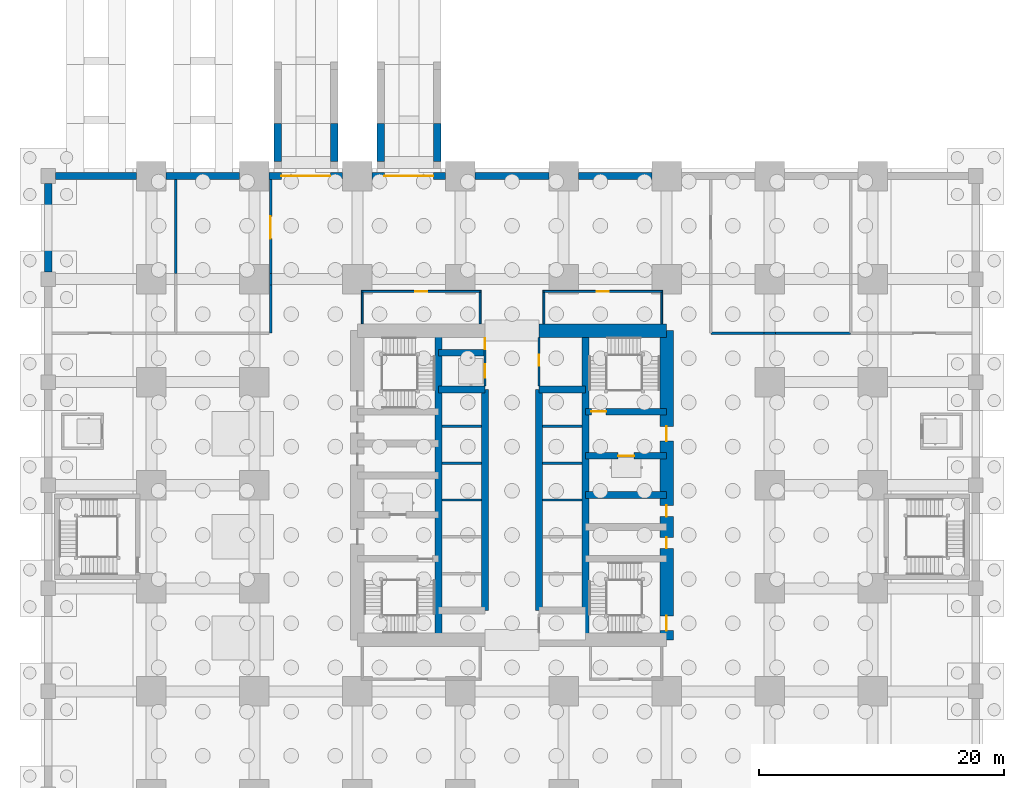
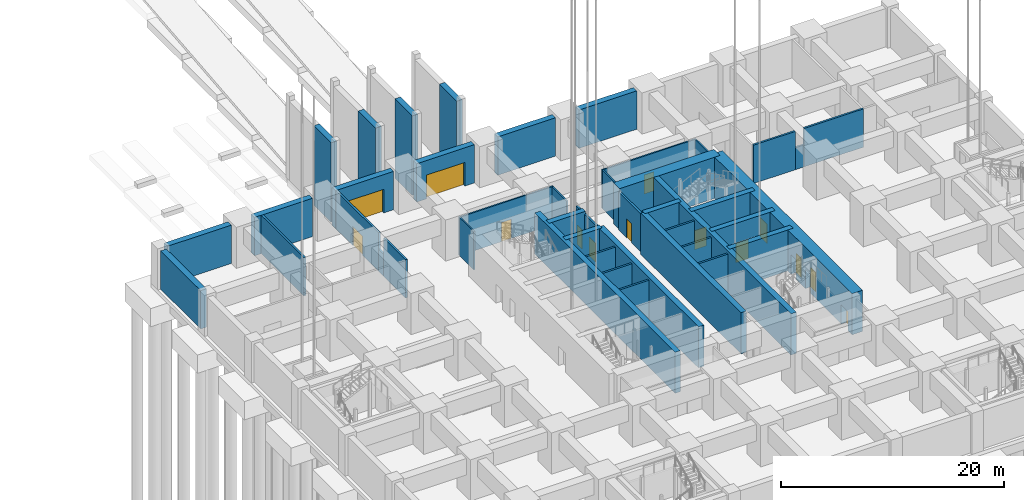
# One storey, part 9 of 28: 44 walls, 14 doors, 14 openings.
"""IFC4 building model written with IfcOpenShell, lengths in metres."""

from ifc_helpers import new_model, si_unit, direction, frame, frame_2d, origin, place, context, subcontext, project, spatial, rectangle, extrude, material, layer, layer_set, type_object, element, fill, save


model = new_model("IFC4")

# Units and contexts
model_context = context("Model", 3, precision=1e-05, world=origin(), true_north=direction((0.0, 1.0)))
body_context = subcontext(model_context, "Body", "Model", "MODEL_VIEW")
ifc_project = project(units=[si_unit("LENGTHUNIT", "METRE"), si_unit("AREAUNIT", "SQUARE_METRE"), si_unit("VOLUMEUNIT", "CUBIC_METRE"), si_unit("PLANEANGLEUNIT", "RADIAN"), si_unit("MASSUNIT", "GRAM", prefix="KILO")], contexts=[model_context])

# Site, building, storey
site_placement = place(None, origin())
site = spatial("IfcSite", under=ifc_project, at=site_placement, CompositionType="ELEMENT")
building_placement = place(site_placement, origin())
building = spatial("IfcBuilding", under=site, at=building_placement, Name="Rekha Terrace Tower", CompositionType="ELEMENT")
storey_placement = place(building_placement, frame((0.0, 0.0, -9.89990234375)))
storey = spatial("IfcBuildingStorey", under=building, at=storey_placement, Name="B-02", CompositionType="ELEMENT", Elevation=-9.89990234375)

# Walls
ifc_material_1 = material(Name="Concrete M70", Category="concrete")
ifc_layer_1 = layer(ifc_material_1, 0.550048828125)
ifc_layer_set_1 = layer_set([ifc_layer_1], Name="Concrete M70")
wall_type_1 = type_object("IfcWallType", Name="CI1 550 core internal shear wall", PredefinedType="SHEAR", material=ifc_layer_set_1)
for number, where, z_axis, x_axis, name in (
    (1, (31.800048828125, 21.0, 0.0), (0.0, 0.0, 1.0), (0.0, 1.0, 0.0), "Core wall X318 B-02"),
    (2, (43.800048828125, 21.0, 0.0), (0.0, 0.0, 1.0), (0.0, 1.0, 0.0), "Core wall X438 B-02"),
):
    element("IfcWall", number, at=place(storey_placement, frame(where, z_axis=z_axis, x_axis=x_axis)), inside=storey, type_object=wall_type_1, Name=name, PredefinedType="SHEAR", context=body_context, shape_type="SweptSolid", body=[
        extrude(rectangle(XDim=25.199951171875, YDim=0.550048828125, at=frame_2d((12.60009765625, 0.0))), origin(), (0.0, 0.0, 1.0), 4.5),
    ])
for number, where, z_axis, x_axis, name in (
    (3, (35.60009765625, 23.39990234375, 0.0), (0.0, 0.0, 1.0), (0.0, 1.0, 0.0), "Core wall X356 B-02"),
    (4, (40.0, 23.39990234375, 0.0), (0.0, 0.0, 1.0), (0.0, 1.0, 0.0), "Core wall X400 B-02"),
):
    element("IfcWall", number, at=place(storey_placement, frame(where, z_axis=z_axis, x_axis=x_axis)), inside=storey, type_object=wall_type_1, Name=name, PredefinedType="SHEAR", context=body_context, shape_type="SweptSolid", body=[
        extrude(rectangle(XDim=18.0, YDim=0.550048828125, at=frame_2d((9.0, 0.0))), origin(), (0.0, 0.0, 1.0), 4.5),
    ])
for number, where, z_axis, x_axis, name in (
    (5, (31.800048828125, 41.39990234375, 0.0), (0.0, 0.0, 1.0), (1.0, 0.0, 0.0), "Core wall Y414W B-02"),
    (6, (31.800048828125, 44.39990234375, 0.0), (0.0, 0.0, 1.0), (1.0, 0.0, 0.0), "Core wall Y444W B-02"),
    (7, (40.0, 41.39990234375, 0.0), (0.0, 0.0, 1.0), (1.0, 0.0, 0.0), "Core wall Y414E B-02"),
):
    element("IfcWall", number, at=place(storey_placement, frame(where, z_axis=z_axis, x_axis=x_axis)), inside=storey, type_object=wall_type_1, Name=name, PredefinedType="SHEAR", context=body_context, shape_type="SweptSolid", body=[
        extrude(rectangle(XDim=3.800048828125, YDim=0.550048828125, at=frame_2d((1.89990234375, 0.0))), origin(), (0.0, 0.0, 1.0), 4.5),
    ])
wall_1_placement = place(storey_placement, frame((43.800048828125, 32.800048828125, 0.0), z_axis=(0.0, 0.0, 1.0), x_axis=(1.0, 0.0, 0.0)))
element("IfcWall", 8, at=wall_1_placement, inside=storey, type_object=wall_type_1, Name="Core wall Y328E B-02", PredefinedType="SHEAR", context=body_context, shape_type="SweptSolid", body=[
    extrude(rectangle(XDim=6.599853515625, YDim=0.550048828125, at=frame_2d((3.2998046875, 0.0))), origin(), (0.0, 0.0, 1.0), 4.5),
])

# Wall, opening, door
wall_2_placement = place(storey_placement, frame((43.800048828125, 36.0, 0.0), z_axis=(0.0, 0.0, 1.0), x_axis=(1.0, 0.0, 0.0)))
wall_2 = element("IfcWall", 9, at=wall_2_placement, inside=storey, type_object=wall_type_1, Name="Core wall Y360E B-02", PredefinedType="SHEAR", context=body_context, shape_type="SweptSolid", body=[
    extrude(rectangle(XDim=6.599853515625, YDim=0.550048828125, at=frame_2d((3.2998046875, 0.0))), origin(), (0.0, 0.0, 1.0), 4.5),
])
opening_1_placement = place(wall_2_placement, frame((2.64990234375, 0.0, 0.0)))
opening_1 = element("IfcOpeningElement", 10, at=opening_1_placement, cuts=wall_2, Name="Opening LD2", PredefinedType="OPENING", context=body_context, shape_type="SweptSolid", body=[
    extrude(rectangle(XDim=1.300048828125, YDim=2.10009765625, at=frame_2d((0.64990234375, 1.050048828125))), frame((0.0, 0.284912109375, 0.0), z_axis=(0.0, -1.0, 0.0), x_axis=(1.0, 0.0, 0.0)), (0.0, 0.0, 1.0), 0.570068359375),
])
ifc_material_2 = material(Name="Stainless steel sliding landing door", Category="steel")
door_type_1 = type_object("IfcDoorType", Name="LD2 1300x2100 fire lift landing door", OperationType="SLIDING_TO_LEFT", PredefinedType="USERDEFINED", material=ifc_material_2)
door_1_placement = place(opening_1_placement, origin())
door_1 = element("IfcDoor", 11, at=door_1_placement, inside=storey, type_object=door_type_1, Name="Lift FL2 landing door B-02", ObjectType="LIFT LANDING DOOR", OperationType="SLIDING_TO_LEFT", OverallHeight=2.10009765625, OverallWidth=1.300048828125, PredefinedType="USERDEFINED", context=body_context, shape_type="SweptSolid", body=[
    extrude(rectangle(XDim=1.300048828125, YDim=2.10009765625, at=frame_2d((0.64990234375, 1.050048828125))), frame((0.0, 0.02490234375, 0.0), z_axis=(0.0, -1.0, 0.0), x_axis=(1.0, 0.0, 0.0)), (0.0, 0.0, 1.0), 0.050048828125),
])
fill(opening_1, door_1)

wall_3_placement = place(storey_placement, frame((43.800048828125, 39.60009765625, 0.0), z_axis=(0.0, 0.0, 1.0), x_axis=(1.0, 0.0, 0.0)))
wall_3 = element("IfcWall", 12, at=wall_3_placement, inside=storey, type_object=wall_type_1, Name="Core wall Y396E B-02", PredefinedType="SHEAR", context=body_context, shape_type="SweptSolid", body=[
    extrude(rectangle(XDim=6.599853515625, YDim=0.550048828125, at=frame_2d((3.2998046875, 0.0))), origin(), (0.0, 0.0, 1.0), 4.5),
])
opening_2_placement = place(wall_3_placement, frame((0.47509765625, 0.0, 0.0)))
opening_2 = element("IfcOpeningElement", 13, at=opening_2_placement, cuts=wall_3, Name="Opening D1", PredefinedType="OPENING", context=body_context, shape_type="SweptSolid", body=[
    extrude(rectangle(XDim=1.199951171875, YDim=2.10009765625, at=frame_2d((0.60009765625, 1.050048828125))), frame((0.0, 0.284912109375, 0.0), z_axis=(0.0, -1.0, 0.0), x_axis=(1.0, 0.0, 0.0)), (0.0, 0.0, 1.0), 0.570068359375),
])
ifc_material_3 = material(Name="Steel fire door", Category="steel")
door_type_2 = type_object("IfcDoorType", Name="D1 1200x2100 stair fire door", OperationType="SINGLE_SWING_RIGHT", PredefinedType="DOOR", material=ifc_material_3)
door_2_placement = place(opening_2_placement, origin())
door_2 = element("IfcDoor", 14, at=door_2_placement, inside=storey, type_object=door_type_2, Name="Stair ST2 door B-02", OperationType="SINGLE_SWING_RIGHT", OverallHeight=2.10009765625, OverallWidth=1.199951171875, PredefinedType="DOOR", context=body_context, shape_type="SweptSolid", body=[
    extrude(rectangle(XDim=1.199951171875, YDim=2.10009765625, at=frame_2d((0.60009765625, 1.050048828125))), frame((0.0, 0.02490234375, 0.0), z_axis=(0.0, -1.0, 0.0), x_axis=(1.0, 0.0, 0.0)), (0.0, 0.0, 1.0), 0.050048828125),
])
fill(opening_2, door_2)

# Walls
ifc_material_4 = material(Name="Concrete M40", Category="concrete")
ifc_layer_2 = layer(ifc_material_4, 0.60009765625)
ifc_layer_set_2 = layer_set([ifc_layer_2], Name="Concrete M40")
wall_type_2 = type_object("IfcWallType", Name="RW1 600 basement retaining wall", PredefinedType="SOLIDWALL", material=ifc_layer_set_2)
wall_4_placement = place(storey_placement, frame((0.60009765625, 58.800048828125, 0.0), z_axis=(0.0, 0.0, 1.0), x_axis=(1.0, 0.0, 0.0)))
element("IfcWall", 15, at=wall_4_placement, inside=storey, type_object=wall_type_2, Name="Basement retaining wall RW1 1H-2H B-02", PredefinedType="SOLIDWALL", context=body_context, shape_type="SweptSolid", body=[
    extrude(rectangle(XDim=6.599853515625, YDim=0.60009765625, at=frame_2d((3.2998046875, 0.0))), origin(), (0.0, 0.0, 1.0), 4.199951171875),
])
wall_5_placement = place(storey_placement, frame((9.60009765625, 58.800048828125, 0.0), z_axis=(0.0, 0.0, 1.0), x_axis=(1.0, 0.0, 0.0)))
element("IfcWall", 16, at=wall_5_placement, inside=storey, type_object=wall_type_2, Name="Basement retaining wall RW1 2H-3H B-02", PredefinedType="SOLIDWALL", context=body_context, shape_type="SweptSolid", body=[
    extrude(rectangle(XDim=6.0, YDim=0.60009765625, at=frame_2d((3.0, 0.0))), origin(), (0.0, 0.0, 1.0), 4.199951171875),
])

# Wall, opening, door
wall_6_placement = place(storey_placement, frame((18.0, 58.800048828125, 0.0), z_axis=(0.0, 0.0, 1.0), x_axis=(1.0, 0.0, 0.0)))
wall_6 = element("IfcWall", 17, at=wall_6_placement, inside=storey, type_object=wall_type_2, Name="Basement retaining wall RW1 3H-4H B-02", PredefinedType="SOLIDWALL", context=body_context, shape_type="SweptSolid", body=[
    extrude(rectangle(XDim=6.0, YDim=0.60009765625, at=frame_2d((3.0, 0.0))), origin(), (0.0, 0.0, 1.0), 4.199951171875),
])
opening_3_placement = place(wall_6_placement, frame((1.0, 0.0, 0.0)))
opening_3 = element("IfcOpeningElement", 18, at=opening_3_placement, cuts=wall_6, Name="Opening VD2", PredefinedType="OPENING", context=body_context, shape_type="SweptSolid", body=[
    extrude(rectangle(XDim=4.0, YDim=2.60009765625, at=frame_2d((2.0, 1.300048828125))), frame((0.0, 0.31005859375, 0.0), z_axis=(0.0, -1.0, 0.0), x_axis=(1.0, 0.0, 0.0)), (0.0, 0.0, 1.0), 0.6201171875),
])
ifc_material_5 = material(Name="Galvanised steel roller shutter", Category="steel")
door_type_3 = type_object("IfcDoorType", Name="VD2 4000x2600 vehicle roller shutter", OperationType="ROLLINGUP", PredefinedType="DOOR", material=ifc_material_5)
door_3_placement = place(opening_3_placement, origin())
door_3 = element("IfcDoor", 19, at=door_3_placement, inside=storey, type_object=door_type_3, Name="Vehicle entrance roller shutter 3", OperationType="ROLLINGUP", OverallHeight=2.60009765625, OverallWidth=4.0, PredefinedType="DOOR", context=body_context, shape_type="SweptSolid", body=[
    extrude(rectangle(XDim=4.0, YDim=2.60009765625, at=frame_2d((2.0, 1.300048828125))), frame((0.0, 0.02490234375, 0.0), z_axis=(0.0, -1.0, 0.0), x_axis=(1.0, 0.0, 0.0)), (0.0, 0.0, 1.0), 0.050048828125),
])
fill(opening_3, door_3)

wall_7_placement = place(storey_placement, frame((26.39990234375, 58.800048828125, 0.0), z_axis=(0.0, 0.0, 1.0), x_axis=(1.0, 0.0, 0.0)))
wall_7 = element("IfcWall", 20, at=wall_7_placement, inside=storey, type_object=wall_type_2, Name="Basement retaining wall RW1 4H-5H B-02", PredefinedType="SOLIDWALL", context=body_context, shape_type="SweptSolid", body=[
    extrude(rectangle(XDim=6.0, YDim=0.60009765625, at=frame_2d((3.0, 0.0))), origin(), (0.0, 0.0, 1.0), 4.199951171875),
])
opening_4_placement = place(wall_7_placement, frame((1.0, 0.0, 0.0)))
opening_4 = element("IfcOpeningElement", 21, at=opening_4_placement, cuts=wall_7, Name="Opening VD2", PredefinedType="OPENING", context=body_context, shape_type="SweptSolid", body=[
    extrude(rectangle(XDim=4.0, YDim=2.60009765625, at=frame_2d((2.0, 1.300048828125))), frame((0.0, 0.31005859375, 0.0), z_axis=(0.0, -1.0, 0.0), x_axis=(1.0, 0.0, 0.0)), (0.0, 0.0, 1.0), 0.6201171875),
])
door_4_placement = place(opening_4_placement, origin())
door_4 = element("IfcDoor", 22, at=door_4_placement, inside=storey, type_object=door_type_3, Name="Vehicle exit roller shutter 4", OperationType="ROLLINGUP", OverallHeight=2.60009765625, OverallWidth=4.0, PredefinedType="DOOR", context=body_context, shape_type="SweptSolid", body=[
    extrude(rectangle(XDim=4.0, YDim=2.60009765625, at=frame_2d((2.0, 1.300048828125))), frame((0.0, 0.02490234375, 0.0), z_axis=(0.0, -1.0, 0.0), x_axis=(1.0, 0.0, 0.0)), (0.0, 0.0, 1.0), 0.050048828125),
])
fill(opening_4, door_4)

# Walls
for number, where, z_axis, x_axis, name in (
    (23, (34.800048828125, 58.800048828125, 0.0), (0.0, 0.0, 1.0), (1.0, 0.0, 0.0), "Basement retaining wall RW1 5H-6H B-02"),
    (24, (43.199951171875, 58.800048828125, 0.0), (0.0, 0.0, 1.0), (1.0, 0.0, 0.0), "Basement retaining wall RW1 6H-7H B-02"),
):
    element("IfcWall", number, at=place(storey_placement, frame(where, z_axis=z_axis, x_axis=x_axis)), inside=storey, type_object=wall_type_2, Name=name, PredefinedType="SOLIDWALL", context=body_context, shape_type="SweptSolid", body=[
        extrude(rectangle(XDim=6.0, YDim=0.60009765625, at=frame_2d((3.0, 0.0))), origin(), (0.0, 0.0, 1.0), 4.199951171875),
    ])
wall_8_placement = place(storey_placement, frame((0.0, 51.0, 0.0), z_axis=(0.0, 0.0, 1.0), x_axis=(0.0, 1.0, 0.0)))
element("IfcWall", 25, at=wall_8_placement, inside=storey, type_object=wall_type_2, Name="Basement retaining wall RW1 1G-1H B-02", PredefinedType="SOLIDWALL", context=body_context, shape_type="SweptSolid", body=[
    extrude(rectangle(XDim=7.199951171875, YDim=0.60009765625, at=frame_2d((3.60009765625, 0.0))), origin(), (0.0, 0.0, 1.0), 4.199951171875),
])
ifc_layer_3 = layer(ifc_material_4, 0.60009765625)
ifc_layer_set_3 = layer_set([ifc_layer_3], Name="Concrete M40")
wall_type_3 = type_object("IfcWallType", Name="RW4 600 ramp retaining wall", PredefinedType="SOLIDWALL", material=ifc_layer_set_3)
for number, where, z_axis, x_axis, name in (
    (26, (18.699951171875, 60.0, -0.300048828125), (0.0, 0.0, 1.0), (0.0, 1.0, 0.0), "Ramp 3 kerb wall RW4 W1"),
    (27, (23.300048828125, 60.0, -0.300048828125), (0.0, 0.0, 1.0), (0.0, 1.0, 0.0), "Ramp 3 kerb wall RW4 E1"),
    (28, (27.10009765625, 60.0, -0.300048828125), (0.0, 0.0, 1.0), (0.0, 1.0, 0.0), "Ramp 4 kerb wall RW4 W1"),
    (29, (31.699951171875, 60.0, -0.300048828125), (0.0, 0.0, 1.0), (0.0, 1.0, 0.0), "Ramp 4 kerb wall RW4 E1"),
):
    element("IfcWall", number, at=place(storey_placement, frame(where, z_axis=z_axis, x_axis=x_axis)), inside=storey, type_object=wall_type_3, Name=name, PredefinedType="SOLIDWALL", context=body_context, shape_type="SweptSolid", body=[
        extrude(rectangle(XDim=3.10009765625, YDim=0.60009765625, at=frame_2d((1.550048828125, 0.0))), origin(), (0.0, 0.0, 1.0), 8.679931640625),
    ])
ifc_layer_4 = layer(ifc_material_1, 1.10009765625)
ifc_layer_set_4 = layer_set([ifc_layer_4], Name="Concrete M70")
wall_type_4 = type_object("IfcWallType", Name="SW1 1100 core outer shear wall", PredefinedType="SHEAR", material=ifc_layer_set_4)
wall_9_placement = place(storey_placement, frame((40.0, 46.199951171875, 0.0), z_axis=(0.0, 0.0, 1.0), x_axis=(1.0, 0.0, 0.0)))
element("IfcWall", 30, at=wall_9_placement, inside=storey, type_object=wall_type_4, Name="Core wall N2 B-02", PredefinedType="SHEAR", context=body_context, shape_type="SweptSolid", body=[
    extrude(rectangle(XDim=10.39990234375, YDim=1.10009765625, at=frame_2d((5.199951171875, 0.0))), origin(), (0.0, 0.0, 1.0), 4.5),
])

# Wall, openings, doors
wall_10_placement = place(storey_placement, frame((50.39990234375, 21.0, 0.0), z_axis=(0.0, 0.0, 1.0), x_axis=(0.0, 1.0, 0.0)))
wall_10 = element("IfcWall", 31, at=wall_10_placement, inside=storey, type_object=wall_type_4, Name="Core wall E B-02", PredefinedType="SHEAR", context=body_context, shape_type="SweptSolid", body=[
    extrude(rectangle(XDim=25.199951171875, YDim=1.10009765625, at=frame_2d((12.60009765625, 0.0))), origin(), (0.0, 0.0, 1.0), 4.5),
])
opening_5_placement = place(wall_10_placement, frame((16.199951171875, 0.0, 0.0)))
opening_5 = element("IfcOpeningElement", 32, at=opening_5_placement, cuts=wall_10, Name="Opening D2", PredefinedType="OPENING", context=body_context, shape_type="SweptSolid", body=[
    extrude(rectangle(XDim=1.199951171875, YDim=2.10009765625, at=frame_2d((0.60009765625, 1.050048828125))), frame((0.0, 0.56005859375, 0.0), z_axis=(0.0, -1.0, 0.0), x_axis=(1.0, 0.0, 0.0)), (0.0, 0.0, 1.0), 1.1201171875),
])
opening_6_placement = place(wall_10_placement, frame((10.050048828125, 0.0, 0.0)))
opening_6 = element("IfcOpeningElement", 33, at=opening_6_placement, cuts=wall_10, Name="Opening D5", PredefinedType="OPENING", context=body_context, shape_type="SweptSolid", body=[
    extrude(rectangle(XDim=0.89990234375, YDim=2.10009765625, at=frame_2d((0.449951171875, 1.050048828125))), frame((0.0, 0.56005859375, 0.0), z_axis=(0.0, -1.0, 0.0), x_axis=(1.0, 0.0, 0.0)), (0.0, 0.0, 1.0), 1.1201171875),
])
opening_7_placement = place(wall_10_placement, frame((7.449951171875, 0.0, 0.0)))
opening_7 = element("IfcOpeningElement", 34, at=opening_7_placement, cuts=wall_10, Name="Opening D5", PredefinedType="OPENING", context=body_context, shape_type="SweptSolid", body=[
    extrude(rectangle(XDim=0.89990234375, YDim=2.10009765625, at=frame_2d((0.449951171875, 1.050048828125))), frame((0.0, 0.56005859375, 0.0), z_axis=(0.0, -1.0, 0.0), x_axis=(1.0, 0.0, 0.0)), (0.0, 0.0, 1.0), 1.1201171875),
])
opening_8_placement = place(wall_10_placement, frame((0.75, 0.0, 0.0)))
opening_8 = element("IfcOpeningElement", 35, at=opening_8_placement, cuts=wall_10, Name="Opening D1", PredefinedType="OPENING", context=body_context, shape_type="SweptSolid", body=[
    extrude(rectangle(XDim=1.199951171875, YDim=2.10009765625, at=frame_2d((0.60009765625, 1.050048828125))), frame((0.0, 0.56005859375, 0.0), z_axis=(0.0, -1.0, 0.0), x_axis=(1.0, 0.0, 0.0)), (0.0, 0.0, 1.0), 1.1201171875),
])
door_5_placement = place(opening_8_placement, origin())
door_5 = element("IfcDoor", 36, at=door_5_placement, inside=storey, type_object=door_type_2, Name="Stair ST3 door B-02", OperationType="SINGLE_SWING_RIGHT", OverallHeight=2.10009765625, OverallWidth=1.199951171875, PredefinedType="DOOR", context=body_context, shape_type="SweptSolid", body=[
    extrude(rectangle(XDim=1.199951171875, YDim=2.10009765625, at=frame_2d((0.60009765625, 1.050048828125))), frame((0.0, 0.02490234375, 0.0), z_axis=(0.0, -1.0, 0.0), x_axis=(1.0, 0.0, 0.0)), (0.0, 0.0, 1.0), 0.050048828125),
])
fill(opening_8, door_5)
door_type_4 = type_object("IfcDoorType", Name="D2 1200x2100 firefighting lobby door", OperationType="SINGLE_SWING_LEFT", PredefinedType="DOOR", material=ifc_material_3)
door_6_placement = place(opening_5_placement, origin())
door_6 = element("IfcDoor", 37, at=door_6_placement, inside=storey, type_object=door_type_4, Name="Door flb2 B-02", OperationType="SINGLE_SWING_LEFT", OverallHeight=2.10009765625, OverallWidth=1.199951171875, PredefinedType="DOOR", context=body_context, shape_type="SweptSolid", body=[
    extrude(rectangle(XDim=1.199951171875, YDim=2.10009765625, at=frame_2d((0.60009765625, 1.050048828125))), frame((0.0, 0.02490234375, 0.0), z_axis=(0.0, -1.0, 0.0), x_axis=(1.0, 0.0, 0.0)), (0.0, 0.0, 1.0), 0.050048828125),
])
fill(opening_5, door_6)
door_type_5 = type_object("IfcDoorType", Name="D5 900x2100 riser access door", OperationType="SINGLE_SWING_LEFT", PredefinedType="DOOR", material=ifc_material_3)
door_7_placement = place(opening_6_placement, origin())
door_7 = element("IfcDoor", 38, at=door_7_placement, inside=storey, type_object=door_type_5, Name="Door rs2 B-02", OperationType="SINGLE_SWING_LEFT", OverallHeight=2.10009765625, OverallWidth=0.89990234375, PredefinedType="DOOR", context=body_context, shape_type="SweptSolid", body=[
    extrude(rectangle(XDim=0.89990234375, YDim=2.10009765625, at=frame_2d((0.449951171875, 1.050048828125))), frame((0.0, 0.02490234375, 0.0), z_axis=(0.0, -1.0, 0.0), x_axis=(1.0, 0.0, 0.0)), (0.0, 0.0, 1.0), 0.050048828125),
])
fill(opening_6, door_7)
door_8_placement = place(opening_7_placement, origin())
door_8 = element("IfcDoor", 39, at=door_8_placement, inside=storey, type_object=door_type_5, Name="Door ele B-02", OperationType="SINGLE_SWING_LEFT", OverallHeight=2.10009765625, OverallWidth=0.89990234375, PredefinedType="DOOR", context=body_context, shape_type="SweptSolid", body=[
    extrude(rectangle(XDim=0.89990234375, YDim=2.10009765625, at=frame_2d((0.449951171875, 1.050048828125))), frame((0.0, 0.02490234375, 0.0), z_axis=(0.0, -1.0, 0.0), x_axis=(1.0, 0.0, 0.0)), (0.0, 0.0, 1.0), 0.050048828125),
])
fill(opening_7, door_8)

# Wall
ifc_material_6 = material(Name="Solid concrete block masonry, 2 hour", Category="masonry")
ifc_layer_5 = layer(ifc_material_6, 0.199951171875)
ifc_layer_set_5 = layer_set([ifc_layer_5], Name="Solid concrete block masonry, 2 hour")
wall_type_5 = type_object("IfcWallType", Name="WP1 200 plant room wall", PredefinedType="PARTITIONING", material=ifc_layer_set_5)
wall_11_placement = place(storey_placement, frame((10.39990234375, 58.5, 0.0), z_axis=(0.0, 0.0, 1.0), x_axis=(0.0, -1.0, 0.0)))
element("IfcWall", 40, at=wall_11_placement, inside=storey, type_object=wall_type_5, Name="Partition B-02-02", PredefinedType="PARTITIONING", context=body_context, shape_type="SweptSolid", body=[
    extrude(rectangle(XDim=7.639892578125, YDim=0.199951171875, at=frame_2d((3.81982421875, 0.0))), origin(), (0.0, 0.0, 1.0), 4.199951171875),
])

# Wall, opening, door
wall_12_placement = place(storey_placement, frame((18.1298828125, 58.5, 0.0), z_axis=(0.0, 0.0, 1.0), x_axis=(0.0, -1.0, 0.0)))
wall_12 = element("IfcWall", 41, at=wall_12_placement, inside=storey, type_object=wall_type_5, Name="Partition B-02-03", PredefinedType="PARTITIONING", context=body_context, shape_type="SweptSolid", body=[
    extrude(rectangle(XDim=7.639892578125, YDim=0.199951171875, at=frame_2d((3.81982421875, 0.0))), origin(), (0.0, 0.0, 1.0), 4.199951171875),
])
opening_9_placement = place(wall_12_placement, frame((2.9951171875, 0.0, 0.0)))
opening_9 = element("IfcOpeningElement", 42, at=opening_9_placement, cuts=wall_12, Name="Opening D6", PredefinedType="OPENING", context=body_context, shape_type="SweptSolid", body=[
    extrude(rectangle(XDim=1.800048828125, YDim=2.10009765625, at=frame_2d((0.89990234375, 1.050048828125))), frame((0.0, 0.10986328125, 0.0), z_axis=(0.0, -1.0, 0.0), x_axis=(1.0, 0.0, 0.0)), (0.0, 0.0, 1.0), 0.219970703125),
])
door_type_6 = type_object("IfcDoorType", Name="D6 1800x2100 plant room double door", OperationType="DOUBLE_DOOR_SINGLE_SWING", PredefinedType="DOOR", material=ifc_material_3)
door_9_placement = place(opening_9_placement, origin())
door_9 = element("IfcDoor", 43, at=door_9_placement, inside=storey, type_object=door_type_6, Name="Door chiller plant room B-02", OperationType="DOUBLE_DOOR_SINGLE_SWING", OverallHeight=2.10009765625, OverallWidth=1.800048828125, PredefinedType="DOOR", context=body_context, shape_type="SweptSolid", body=[
    extrude(rectangle(XDim=1.800048828125, YDim=2.10009765625, at=frame_2d((0.89990234375, 1.050048828125))), frame((0.0, 0.02490234375, 0.0), z_axis=(0.0, -1.0, 0.0), x_axis=(1.0, 0.0, 0.0)), (0.0, 0.0, 1.0), 0.050048828125),
])
fill(opening_9, door_9)

# Walls
wall_13_placement = place(storey_placement, frame((18.1298828125, 50.860107421875, 0.0), z_axis=(0.0, 0.0, 1.0), x_axis=(0.0, -1.0, 0.0)))
element("IfcWall", 44, at=wall_13_placement, inside=storey, type_object=wall_type_5, Name="Partition B-02-03", PredefinedType="PARTITIONING", context=body_context, shape_type="SweptSolid", body=[
    extrude(rectangle(XDim=0.920166015625, YDim=0.199951171875, at=frame_2d((0.4599609375, 0.0))), origin(), (0.0, 0.0, 1.0), 2.39990234375),
])
wall_14_placement = place(storey_placement, frame((18.1298828125, 49.93994140625, 0.0), z_axis=(0.0, 0.0, 1.0), x_axis=(0.0, -1.0, 0.0)))
element("IfcWall", 45, at=wall_14_placement, inside=storey, type_object=wall_type_5, Name="Partition B-02-03", PredefinedType="PARTITIONING", context=body_context, shape_type="SweptSolid", body=[
    extrude(rectangle(XDim=3.93994140625, YDim=0.199951171875, at=frame_2d((1.969970703125, 0.0))), origin(), (0.0, 0.0, 1.0), 4.199951171875),
])
wall_15_placement = place(storey_placement, frame((65.39990234375, 46.0, 0.0), z_axis=(0.0, 0.0, 1.0), x_axis=(-1.0, 0.0, 0.0)))
element("IfcWall", 46, at=wall_15_placement, inside=storey, type_object=wall_type_5, Name="Partition B-02-04", PredefinedType="PARTITIONING", context=body_context, shape_type="SweptSolid", body=[
    extrude(rectangle(XDim=6.139892578125, YDim=0.199951171875, at=frame_2d((3.06982421875, 0.0))), origin(), (0.0, 0.0, 1.0), 4.199951171875),
])
wall_16_placement = place(storey_placement, frame((59.260009765625, 46.0, 0.0), z_axis=(0.0, 0.0, 1.0), x_axis=(-1.0, 0.0, 0.0)))
element("IfcWall", 47, at=wall_16_placement, inside=storey, type_object=wall_type_5, Name="Partition B-02-04", PredefinedType="PARTITIONING", context=body_context, shape_type="SweptSolid", body=[
    extrude(rectangle(XDim=0.919921875, YDim=0.199951171875, at=frame_2d((0.4599609375, 0.0))), origin(), (0.0, 0.0, 1.0), 2.39990234375),
])
wall_17_placement = place(storey_placement, frame((58.340087890625, 46.0, 0.0), z_axis=(0.0, 0.0, 1.0), x_axis=(-1.0, 0.0, 0.0)))
element("IfcWall", 48, at=wall_17_placement, inside=storey, type_object=wall_type_5, Name="Partition B-02-04", PredefinedType="PARTITIONING", context=body_context, shape_type="SweptSolid", body=[
    extrude(rectangle(XDim=4.340087890625, YDim=0.199951171875, at=frame_2d((2.169921875, 0.0))), origin(), (0.0, 0.0, 1.0), 4.199951171875),
])

# Wall, opening, door
ifc_material_7 = material(Name="Concrete block masonry, 1 hour", Category="masonry")
ifc_layer_6 = layer(ifc_material_7, 0.14990234375)
ifc_layer_set_6 = layer_set([ifc_layer_6], Name="Concrete block masonry, 1 hour")
wall_type_6 = type_object("IfcWallType", Name="WP2 150 tenancy partition", PredefinedType="PARTITIONING", material=ifc_layer_set_6)
wall_18_placement = place(storey_placement, frame((40.324951171875, 49.39990234375, 0.0), z_axis=(0.0, 0.0, 1.0), x_axis=(1.0, 0.0, 0.0)))
wall_18 = element("IfcWall", 49, at=wall_18_placement, inside=storey, type_object=wall_type_6, Name="Women's WC wall B-02", PredefinedType="PARTITIONING", context=body_context, shape_type="SweptSolid", body=[
    extrude(rectangle(XDim=9.75, YDim=0.14990234375, at=frame_2d((4.875, 0.0))), origin(), (0.0, 0.0, 1.0), 4.199951171875),
])
opening_10_placement = place(wall_18_placement, frame((4.375, 0.0, 0.0)))
opening_10 = element("IfcOpeningElement", 50, at=opening_10_placement, cuts=wall_18, Name="Opening D3", PredefinedType="OPENING", context=body_context, shape_type="SweptSolid", body=[
    extrude(rectangle(XDim=1.0, YDim=2.10009765625, at=frame_2d((0.5, 1.050048828125))), frame((0.0, 0.0849609375, 0.0), z_axis=(0.0, -1.0, 0.0), x_axis=(1.0, 0.0, 0.0)), (0.0, 0.0, 1.0), 0.169921875),
])
ifc_material_8 = material(Name="Laminated timber fire door", Category="wood")
door_type_7 = type_object("IfcDoorType", Name="D3 1000x2100 WC door", OperationType="SINGLE_SWING_LEFT", PredefinedType="DOOR", material=ifc_material_8)
door_10_placement = place(opening_10_placement, origin())
door_10 = element("IfcDoor", 51, at=door_10_placement, inside=storey, type_object=door_type_7, Name="Door women's wc B-02", OperationType="SINGLE_SWING_LEFT", OverallHeight=2.10009765625, OverallWidth=1.0, PredefinedType="DOOR", context=body_context, shape_type="SweptSolid", body=[
    extrude(rectangle(XDim=1.0, YDim=2.10009765625, at=frame_2d((0.5, 1.050048828125))), frame((0.0, 0.02490234375, 0.0), z_axis=(0.0, -1.0, 0.0), x_axis=(1.0, 0.0, 0.0)), (0.0, 0.0, 1.0), 0.050048828125),
])
fill(opening_10, door_10)

# Walls
for number, where, z_axis, x_axis, name in (
    (52, (40.39990234375, 46.75, 0.0), (0.0, 0.0, 1.0), (0.0, 1.0, 0.0), "Women's WC wall B-02"),
    (53, (50.0, 46.75, 0.0), (0.0, 0.0, 1.0), (0.0, 1.0, 0.0), "Women's WC wall B-02"),
):
    element("IfcWall", number, at=place(storey_placement, frame(where, z_axis=z_axis, x_axis=x_axis)), inside=storey, type_object=wall_type_6, Name=name, PredefinedType="PARTITIONING", context=body_context, shape_type="SweptSolid", body=[
        extrude(rectangle(XDim=2.574951171875, YDim=0.14990234375, at=frame_2d((1.28759765625, 0.0))), origin(), (0.0, 0.0, 1.0), 4.199951171875),
    ])

# Wall, opening, door
wall_19_placement = place(storey_placement, frame((25.52490234375, 49.39990234375, 0.0), z_axis=(0.0, 0.0, 1.0), x_axis=(1.0, 0.0, 0.0)))
wall_19 = element("IfcWall", 54, at=wall_19_placement, inside=storey, type_object=wall_type_6, Name="Women's WC wall B-02", PredefinedType="PARTITIONING", context=body_context, shape_type="SweptSolid", body=[
    extrude(rectangle(XDim=9.75, YDim=0.14990234375, at=frame_2d((4.875, 0.0))), origin(), (0.0, 0.0, 1.0), 4.199951171875),
])
opening_11_placement = place(wall_19_placement, frame((4.375, 0.0, 0.0)))
opening_11 = element("IfcOpeningElement", 55, at=opening_11_placement, cuts=wall_19, Name="Opening D3", PredefinedType="OPENING", context=body_context, shape_type="SweptSolid", body=[
    extrude(rectangle(XDim=1.0, YDim=2.10009765625, at=frame_2d((0.5, 1.050048828125))), frame((0.0, 0.0849609375, 0.0), z_axis=(0.0, -1.0, 0.0), x_axis=(1.0, 0.0, 0.0)), (0.0, 0.0, 1.0), 0.169921875),
])
door_11_placement = place(opening_11_placement, origin())
door_11 = element("IfcDoor", 56, at=door_11_placement, inside=storey, type_object=door_type_7, Name="Door women's wc B-02", OperationType="SINGLE_SWING_LEFT", OverallHeight=2.10009765625, OverallWidth=1.0, PredefinedType="DOOR", context=body_context, shape_type="SweptSolid", body=[
    extrude(rectangle(XDim=1.0, YDim=2.10009765625, at=frame_2d((0.5, 1.050048828125))), frame((0.0, 0.02490234375, 0.0), z_axis=(0.0, -1.0, 0.0), x_axis=(1.0, 0.0, 0.0)), (0.0, 0.0, 1.0), 0.050048828125),
])
fill(opening_11, door_11)

# Walls
for number, where, z_axis, x_axis, name in (
    (57, (25.60009765625, 46.75, 0.0), (0.0, 0.0, 1.0), (0.0, 1.0, 0.0), "Women's WC wall B-02"),
    (58, (35.199951171875, 46.75, 0.0), (0.0, 0.0, 1.0), (0.0, 1.0, 0.0), "Women's WC wall B-02"),
):
    element("IfcWall", number, at=place(storey_placement, frame(where, z_axis=z_axis, x_axis=x_axis)), inside=storey, type_object=wall_type_6, Name=name, PredefinedType="PARTITIONING", context=body_context, shape_type="SweptSolid", body=[
        extrude(rectangle(XDim=2.574951171875, YDim=0.14990234375, at=frame_2d((1.28759765625, 0.0))), origin(), (0.0, 0.0, 1.0), 4.199951171875),
    ])
ifc_layer_7 = layer(ifc_material_6, 0.199951171875)
ifc_layer_set_7 = layer_set([ifc_layer_7], Name="Solid concrete block masonry, 2 hour")
wall_type_7 = type_object("IfcWallType", Name="WS1 200 stair and shaft enclosure", PredefinedType="PARTITIONING", material=ifc_layer_set_7)
for number, where, z_axis, x_axis, name in (
    (59, (32.074951171875, 32.39990234375, 0.0), (0.0, 0.0, 1.0), (1.0, 0.0, 0.0), "Lift shaft divider B-02"),
    (60, (32.074951171875, 35.39990234375, 0.0), (0.0, 0.0, 1.0), (1.0, 0.0, 0.0), "Lift shaft divider B-02"),
    (61, (32.074951171875, 38.39990234375, 0.0), (0.0, 0.0, 1.0), (1.0, 0.0, 0.0), "Lift shaft divider B-02"),
    (62, (40.27490234375, 32.39990234375, 0.0), (0.0, 0.0, 1.0), (1.0, 0.0, 0.0), "Lift shaft divider B-02"),
    (63, (40.27490234375, 35.39990234375, 0.0), (0.0, 0.0, 1.0), (1.0, 0.0, 0.0), "Lift shaft divider B-02"),
    (64, (40.27490234375, 38.39990234375, 0.0), (0.0, 0.0, 1.0), (1.0, 0.0, 0.0), "Lift shaft divider B-02"),
):
    element("IfcWall", number, at=place(storey_placement, frame(where, z_axis=z_axis, x_axis=x_axis)), inside=storey, type_object=wall_type_7, Name=name, PredefinedType="PARTITIONING", context=body_context, shape_type="SweptSolid", body=[
        extrude(rectangle(XDim=3.25, YDim=0.199951171875, at=frame_2d((1.625, 0.0))), origin(), (0.0, 0.0, 1.0), 4.199951171875),
    ])

# Wall, opening, door
wall_20_placement = place(storey_placement, frame((40.0, 41.675048828125, 0.0), z_axis=(0.0, 0.0, 1.0), x_axis=(0.0, 1.0, 0.0)))
wall_20 = element("IfcWall", 65, at=wall_20_placement, inside=storey, type_object=wall_type_7, Name="Core partition elec B-02", PredefinedType="PARTITIONING", context=body_context, shape_type="SweptSolid", body=[
    extrude(rectangle(XDim=3.974853515625, YDim=0.199951171875, at=frame_2d((1.9873046875, 0.0))), origin(), (0.0, 0.0, 1.0), 4.199951171875),
])
opening_12_placement = place(wall_20_placement, frame((1.675048828125, 0.0, 0.0)))
opening_12 = element("IfcOpeningElement", 66, at=opening_12_placement, cuts=wall_20, Name="Opening D5", PredefinedType="OPENING", context=body_context, shape_type="SweptSolid", body=[
    extrude(rectangle(XDim=0.89990234375, YDim=2.10009765625, at=frame_2d((0.449951171875, 1.050048828125))), frame((0.0, 0.10986328125, 0.0), z_axis=(0.0, -1.0, 0.0), x_axis=(1.0, 0.0, 0.0)), (0.0, 0.0, 1.0), 0.219970703125),
])
door_12_placement = place(opening_12_placement, origin())
door_12 = element("IfcDoor", 67, at=door_12_placement, inside=storey, type_object=door_type_5, Name="Door electrical room B-02", OperationType="SINGLE_SWING_LEFT", OverallHeight=2.10009765625, OverallWidth=0.89990234375, PredefinedType="DOOR", context=body_context, shape_type="SweptSolid", body=[
    extrude(rectangle(XDim=0.89990234375, YDim=2.10009765625, at=frame_2d((0.449951171875, 1.050048828125))), frame((0.0, 0.02490234375, 0.0), z_axis=(0.0, -1.0, 0.0), x_axis=(1.0, 0.0, 0.0)), (0.0, 0.0, 1.0), 0.050048828125),
])
fill(opening_12, door_12)

# Wall, openings, doors
wall_21_placement = place(storey_placement, frame((35.60009765625, 41.675048828125, 0.0), z_axis=(0.0, 0.0, 1.0), x_axis=(0.0, 1.0, 0.0)))
wall_21 = element("IfcWall", 68, at=wall_21_placement, inside=storey, type_object=wall_type_7, Name="Core partition jansv B-02", PredefinedType="PARTITIONING", context=body_context, shape_type="SweptSolid", body=[
    extrude(rectangle(XDim=3.974853515625, YDim=0.199951171875, at=frame_2d((1.9873046875, 0.0))), origin(), (0.0, 0.0, 1.0), 4.199951171875),
])
opening_13_placement = place(wall_21_placement, frame((3.02490234375, 0.0, 0.0)))
opening_13 = element("IfcOpeningElement", 69, at=opening_13_placement, cuts=wall_21, Name="Opening D5", PredefinedType="OPENING", context=body_context, shape_type="SweptSolid", body=[
    extrude(rectangle(XDim=0.89990234375, YDim=2.10009765625, at=frame_2d((0.449951171875, 1.050048828125))), frame((0.0, 0.10986328125, 0.0), z_axis=(0.0, -1.0, 0.0), x_axis=(1.0, 0.0, 0.0)), (0.0, 0.0, 1.0), 0.219970703125),
])
opening_14_placement = place(wall_21_placement, frame((0.675048828125, 0.0, 0.0)))
opening_14 = element("IfcOpeningElement", 70, at=opening_14_placement, cuts=wall_21, Name="Opening LD1", PredefinedType="OPENING", context=body_context, shape_type="SweptSolid", body=[
    extrude(rectangle(XDim=1.10009765625, YDim=2.10009765625, at=frame_2d((0.550048828125, 1.050048828125))), frame((0.0, 0.10986328125, 0.0), z_axis=(0.0, -1.0, 0.0), x_axis=(1.0, 0.0, 0.0)), (0.0, 0.0, 1.0), 0.219970703125),
])
door_13_placement = place(opening_13_placement, origin())
door_13 = element("IfcDoor", 71, at=door_13_placement, inside=storey, type_object=door_type_5, Name="Door janitor room B-02", OperationType="SINGLE_SWING_LEFT", OverallHeight=2.10009765625, OverallWidth=0.89990234375, PredefinedType="DOOR", context=body_context, shape_type="SweptSolid", body=[
    extrude(rectangle(XDim=0.89990234375, YDim=2.10009765625, at=frame_2d((0.449951171875, 1.050048828125))), frame((0.0, 0.02490234375, 0.0), z_axis=(0.0, -1.0, 0.0), x_axis=(1.0, 0.0, 0.0)), (0.0, 0.0, 1.0), 0.050048828125),
])
fill(opening_13, door_13)
door_type_8 = type_object("IfcDoorType", Name="LD1 1100x2100 lift landing door", OperationType="SLIDING_TO_LEFT", PredefinedType="USERDEFINED", material=ifc_material_2)
door_14_placement = place(opening_14_placement, origin())
door_14 = element("IfcDoor", 72, at=door_14_placement, inside=storey, type_object=door_type_8, Name="Lift SV1 landing door B-02", ObjectType="LIFT LANDING DOOR", OperationType="SLIDING_TO_LEFT", OverallHeight=2.10009765625, OverallWidth=1.10009765625, PredefinedType="USERDEFINED", context=body_context, shape_type="SweptSolid", body=[
    extrude(rectangle(XDim=1.10009765625, YDim=2.10009765625, at=frame_2d((0.550048828125, 1.050048828125))), frame((0.0, 0.02490234375, 0.0), z_axis=(0.0, -1.0, 0.0), x_axis=(1.0, 0.0, 0.0)), (0.0, 0.0, 1.0), 0.050048828125),
])
fill(opening_14, door_14)

save(model, "model.ifc")
